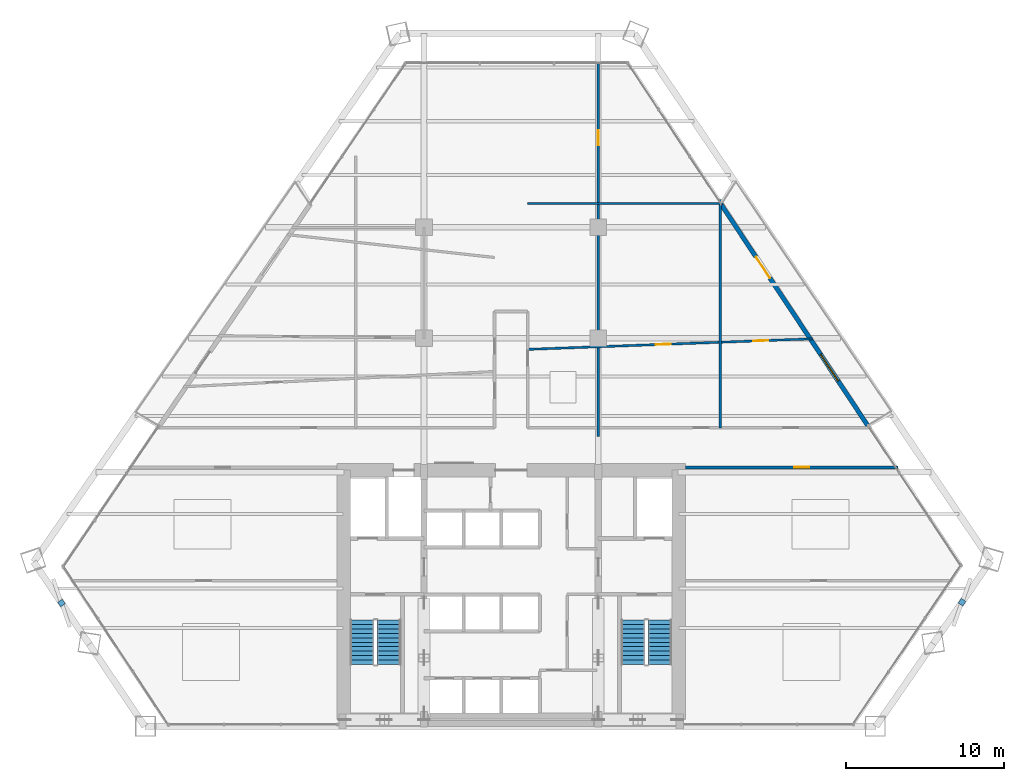
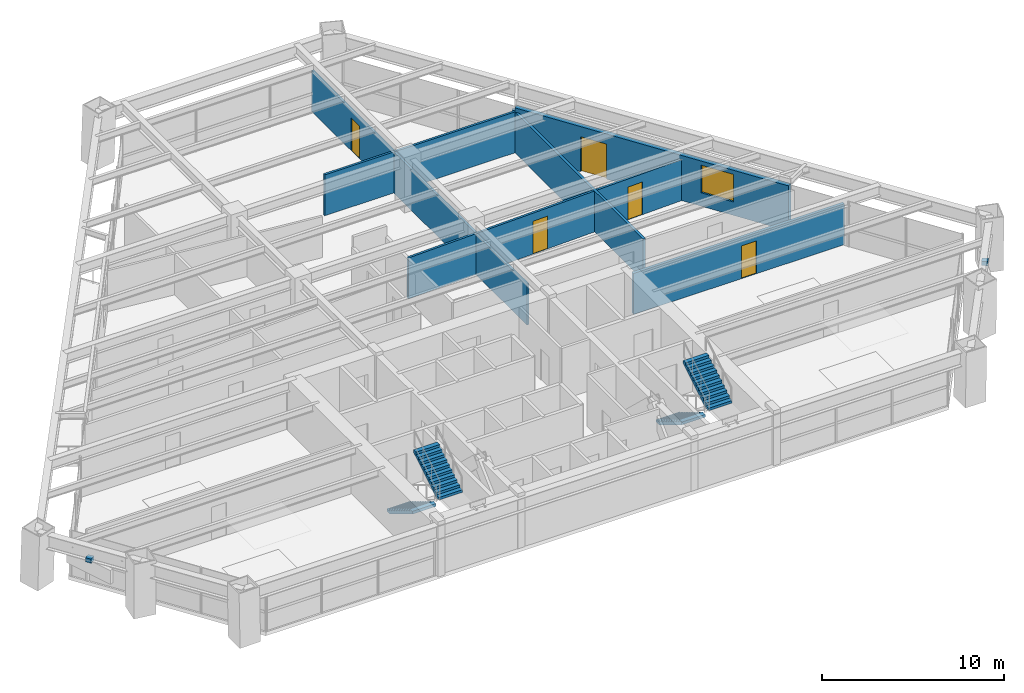
# One storey, part 12 of 14: 6 walls, 5 doors, 4 stair flights, 2 discrete accessories, 1 window, 6 openings, 2 elements without a shape of their own.
"""IFC4 building model written with IfcOpenShell, lengths in metres."""

from ifc_helpers import new_model, si_unit, direction, frame, frame_2d, origin, origin_2d, place, context, subcontext, project, spatial, polyline, rectangle, outline, extrude, source, transform, mapped, material, layer, layer_set, type_object, type_shapes, element, fill, aggregate, save


model = new_model("IFC4")

# Units and contexts
model_context = context("Model", 3, precision=1e-05, world=origin(), true_north=direction((0.0, 1.0)))
body_context = subcontext(model_context, "Body", "Model", "MODEL_VIEW")
ifc_project = project(units=[si_unit("LENGTHUNIT", "METRE"), si_unit("AREAUNIT", "SQUARE_METRE"), si_unit("VOLUMEUNIT", "CUBIC_METRE"), si_unit("PLANEANGLEUNIT", "RADIAN"), si_unit("MASSUNIT", "GRAM", prefix="KILO")], contexts=[model_context])

# Site, building, storey
site_placement = place(None, origin())
site = spatial("IfcSite", under=ifc_project, at=site_placement, CompositionType="ELEMENT")
building_placement = place(site_placement, origin())
building = spatial("IfcBuilding", under=site, at=building_placement, Name="Varnakhor Terracotta Tower", CompositionType="ELEMENT")
storey_placement = place(building_placement, frame((0.0, 0.0, 60.800048828125)))
storey = spatial("IfcBuildingStorey", under=building, at=storey_placement, Name="L14", CompositionType="ELEMENT", Elevation=60.800048828125)

# Wall, opening, door
ifc_material_1 = material(Name="Fire-Rated Gypsum Stud Partition", Category="gypsum")
ifc_layer_1 = layer(ifc_material_1, 0.18505859375, Name="Fire-Rated Gypsum Stud Partition")
ifc_layer_set_1 = layer_set([ifc_layer_1], Name="Fire-Rated Gypsum Stud Partition")
wall_type_1 = type_object("IfcWallType", Name="WAL-CORR-185", PredefinedType="PARTITIONING", material=ifc_layer_set_1)
wall_1_placement = place(storey_placement, frame((11.02001953125, 16.35009765625, 0.0), z_axis=(0.0, 0.0, 1.0), x_axis=(1.0, 0.0, 0.0)))
wall_1 = element("IfcWall", 1, at=wall_1_placement, inside=storey, type_object=wall_type_1, Name="L14 South East Corridor Wall", PredefinedType="PARTITIONING", context=body_context, shape_type="SweptSolid", body=[
    extrude(rectangle(XDim=13.398681640625, YDim=0.18505859375, at=frame_2d((6.69921875, 0.0))), origin(), (0.0, 0.0, 1.0), 2.7470703125),
])
opening_1_placement = place(wall_1_placement, frame((6.8603515625, 0.0, 0.0)))
opening_1 = element("IfcOpeningElement", 2, at=opening_1_placement, cuts=wall_1, Name="Opening DR-94", PredefinedType="OPENING", context=body_context, shape_type="SweptSolid", body=[
    extrude(rectangle(XDim=0.949951171875, YDim=2.199951171875, at=frame_2d((0.47509765625, 1.10009765625))), frame((0.0, 0.1025390625, 0.0), z_axis=(0.0, -1.0, 0.0), x_axis=(1.0, 0.0, 0.0)), (0.0, 0.0, 1.0), 0.205078125),
])
ifc_material_2 = material(Name="Acoustic Glazed-Vision Timber Office Door", Category="wood")
door_type_1 = type_object("IfcDoorType", Name="DR-OFF-950X2200", OperationType="NOTDEFINED", PredefinedType="DOOR", material=ifc_material_2)
shared_shape_1 = source(origin(), body_context, "Body", "SweptSolid", [
    extrude(rectangle(XDim=0.949951171875, YDim=2.199951171875, at=frame_2d((0.47509765625, 1.10009765625))), frame((0.0, 0.02490234375, 0.0), z_axis=(0.0, -1.0, 0.0), x_axis=(1.0, 0.0, 0.0)), (0.0, 0.0, 1.0), 0.050048828125),
])
type_shapes(door_type_1, [shared_shape_1])
door_1_placement = place(opening_1_placement, origin())
door_1 = element("IfcDoor", 3, at=door_1_placement, inside=storey, type_object=door_type_1, Name="L14 SE Suite Door", OperationType="SINGLE_SWING_RIGHT", OverallHeight=2.199951171875, OverallWidth=0.949951171875, PredefinedType="DOOR", context=body_context, shape_type="MappedRepresentation", body=[
    mapped(shared_shape_1, transform((0.0, 0.0, 0.0), scale=1.0)),
])
fill(opening_1, door_1)

# Wall, openings, door, window
ifc_material_3 = material(Name="Extruded Architectural Terracotta Assembly", Category="masonry")
ifc_layer_2 = layer(ifc_material_3, 0.280029296875, Name="Extruded Architectural Terracotta Assembly")
ifc_layer_set_2 = layer_set([ifc_layer_2], Name="Extruded Architectural Terracotta Assembly")
wall_type_2 = type_object("IfcWallType", Name="WAL-EXT-TERRACOTTA-280", PredefinedType="SOLIDWALL", material=ifc_layer_set_2)
wall_2_placement = place(storey_placement, frame((13.224609375, 33.002197265625, 0.0), z_axis=(0.0, 0.0, 1.0), x_axis=(0.552505751784, -0.833509084681, 0.0)))
wall_2 = element("IfcWall", 4, at=wall_2_placement, inside=storey, type_object=wall_type_2, Name="L14 E Loggia Insulated Terracotta Wall", PredefinedType="SOLIDWALL", context=body_context, shape_type="SweptSolid", body=[
    extrude(rectangle(XDim=16.805419921875, YDim=0.280029296875, at=frame_2d((8.40283203125, 0.0))), origin(), (0.0, 0.0, 1.0), 3.030029296875),
])
opening_2_placement = place(wall_2_placement, frame((4.033203125, 0.0, 0.0)))
opening_2 = element("IfcOpeningElement", 5, at=opening_2_placement, cuts=wall_2, Name="Opening DR-62", PredefinedType="OPENING", context=body_context, shape_type="SweptSolid", body=[
    extrude(rectangle(XDim=1.60009765625, YDim=2.35009765625, at=frame_2d((0.800048828125, 1.175048828125))), frame((0.0, 0.14990234375, 0.0), z_axis=(0.0, -1.0, 0.0), x_axis=(1.0, 0.0, 0.0)), (0.0, 0.0, 1.0), 0.300048828125),
])
opening_3_placement = place(wall_2_placement, frame((11.427734375, 0.0, 0.89990234375)))
opening_3 = element("IfcOpeningElement", 6, at=opening_3_placement, cuts=wall_2, Name="Opening WN-26", PredefinedType="OPENING", context=body_context, shape_type="SweptSolid", body=[
    extrude(rectangle(XDim=2.0, YDim=1.85009765625, at=frame_2d((1.0, 0.925048828125))), frame((0.0, 0.14990234375, 0.0), z_axis=(0.0, -1.0, 0.0), x_axis=(1.0, 0.0, 0.0)), (0.0, 0.0, 1.0), 0.300048828125),
])
ifc_material_4 = material(Name="Thermally Broken Sliding Glass Loggia Door", Category="glass")
door_type_2 = type_object("IfcDoorType", Name="DR-EXT-LOGGIA-1600X2350", OperationType="NOTDEFINED", PredefinedType="DOOR", material=ifc_material_4)
shared_shape_2 = source(origin(), body_context, "Body", "SweptSolid", [
    extrude(rectangle(XDim=1.60009765625, YDim=2.35009765625, at=frame_2d((0.800048828125, 1.175048828125))), frame((0.0, 0.02490234375, 0.0), z_axis=(0.0, -1.0, 0.0), x_axis=(1.0, 0.0, 0.0)), (0.0, 0.0, 1.0), 0.050048828125),
])
type_shapes(door_type_2, [shared_shape_2])
door_2_placement = place(opening_2_placement, origin())
door_2 = element("IfcDoor", 7, at=door_2_placement, inside=storey, type_object=door_type_2, Name="L14 E Recessed Loggia Sliding Door", OperationType="SLIDING_TO_RIGHT", OverallHeight=2.35009765625, OverallWidth=1.60009765625, PredefinedType="DOOR", context=body_context, shape_type="MappedRepresentation", body=[
    mapped(shared_shape_2, transform((0.0, 0.0, 0.0), scale=1.0)),
])
fill(opening_2, door_2)
ifc_material_5 = material(Name="Solar-Control Low-E Insulated Glass Unit", Category="glass")
window_type = type_object("IfcWindowType", Name="WIN-OFF-2200X2100", PartitioningType="SINGLE_PANEL", PredefinedType="WINDOW", material=ifc_material_5)
shared_shape_3 = source(origin(), body_context, "Body", "SweptSolid", [
    extrude(rectangle(XDim=2.0, YDim=1.85009765625, at=frame_2d((1.0, 0.925048828125))), frame((0.0, 0.030029296875, 0.0), z_axis=(0.0, -1.0, 0.0), x_axis=(1.0, 0.0, 0.0)), (0.0, 0.0, 1.0), 0.06005859375),
])
type_shapes(window_type, [shared_shape_3])
window_placement = place(opening_3_placement, origin())
window = element("IfcWindow", 8, at=window_placement, inside=storey, type_object=window_type, Name="L14 E Facet Punched Window", OverallHeight=1.85009765625, OverallWidth=2.0, PartitioningType="SINGLE_PANEL", PredefinedType="WINDOW", context=body_context, shape_type="MappedRepresentation", body=[
    mapped(shared_shape_3, transform((0.0, 0.0, 0.0), scale=1.0)),
])
fill(opening_3, window)

# Wall, opening, door
ifc_material_6 = material(Name="Acoustic Metal-Stud Partition", Category="gypsum")
ifc_layer_3 = layer(ifc_material_6, 0.139892578125, Name="Acoustic Metal-Stud Partition")
ifc_layer_set_3 = layer_set([ifc_layer_3], Name="Acoustic Metal-Stud Partition")
wall_type_3 = type_object("IfcWallType", Name="WAL-PART-140", PredefinedType="PARTITIONING", material=ifc_layer_set_3)
wall_3_placement = place(storey_placement, frame((5.5, 18.300048828125, 0.0), z_axis=(0.0, 0.0, 1.0), x_axis=(0.0, 1.0, 0.0)))
wall_3 = element("IfcWall", 9, at=wall_3_placement, inside=storey, type_object=wall_type_3, Name="L14 East Full Column Wall", PredefinedType="PARTITIONING", context=body_context, shape_type="SweptSolid", body=[
    extrude(rectangle(XDim=23.683349609375, YDim=0.139892578125, at=frame_2d((11.841796875, 0.0))), origin(), (0.0, 0.0, 1.0), 2.7470703125),
])
opening_4_placement = place(wall_3_placement, frame((18.371826171875, 0.0, 0.0)))
opening_4 = element("IfcOpeningElement", 10, at=opening_4_placement, cuts=wall_3, Name="Opening DR-94", PredefinedType="OPENING", context=body_context, shape_type="SweptSolid", body=[
    extrude(rectangle(XDim=0.949951171875, YDim=2.199951171875, at=frame_2d((0.47509765625, 1.10009765625))), frame((0.0, 0.080078125, 0.0), z_axis=(0.0, -1.0, 0.0), x_axis=(1.0, 0.0, 0.0)), (0.0, 0.0, 1.0), 0.159912109375),
])
door_3_placement = place(opening_4_placement, origin())
door_3 = element("IfcDoor", 11, at=door_3_placement, inside=storey, type_object=door_type_1, Name="L14 Tea Point Door", OperationType="SINGLE_SWING_RIGHT", OverallHeight=2.199951171875, OverallWidth=0.949951171875, PredefinedType="DOOR", context=body_context, shape_type="MappedRepresentation", body=[
    mapped(shared_shape_1, transform((0.0, 0.0, 0.0), scale=1.0)),
])
fill(opening_4, door_3)

# Wall, openings, doors
wall_4_placement = place(storey_placement, frame((1.050048828125, 23.800048828125, 0.0), z_axis=(0.0, 0.0, 1.0), x_axis=(0.999315836643, 0.036984572921, 0.0)))
wall_4 = element("IfcWall", 12, at=wall_4_placement, inside=storey, type_object=wall_type_3, Name="L14 East Wing Cut 1", PredefinedType="PARTITIONING", context=body_context, shape_type="SweptSolid", body=[
    extrude(rectangle(XDim=18.001220703125, YDim=0.139892578125, at=frame_2d((9.00048828125, 0.0))), origin(), (0.0, 0.0, 1.0), 2.7470703125),
])
opening_5_placement = place(wall_4_placement, frame((8.083984375, 0.0, 0.0)))
opening_5 = element("IfcOpeningElement", 13, at=opening_5_placement, cuts=wall_4, Name="Opening DR-94", PredefinedType="OPENING", context=body_context, shape_type="SweptSolid", body=[
    extrude(rectangle(XDim=0.949951171875, YDim=2.199951171875, at=frame_2d((0.47509765625, 1.10009765625))), frame((0.0, 0.080078125, 0.0), z_axis=(0.0, -1.0, 0.0), x_axis=(1.0, 0.0, 0.0)), (0.0, 0.0, 1.0), 0.159912109375),
])
opening_6_placement = place(wall_4_placement, frame((14.244873046875, 0.0, 0.0)))
opening_6 = element("IfcOpeningElement", 14, at=opening_6_placement, cuts=wall_4, Name="Opening DR-94", PredefinedType="OPENING", context=body_context, shape_type="SweptSolid", body=[
    extrude(rectangle(XDim=0.949951171875, YDim=2.199951171875, at=frame_2d((0.47509765625, 1.10009765625))), frame((0.0, 0.080078125, 0.0), z_axis=(0.0, -1.0, 0.0), x_axis=(1.0, 0.0, 0.0)), (0.0, 0.0, 1.0), 0.159912109375),
])
door_4_placement = place(opening_5_placement, origin())
door_4 = element("IfcDoor", 15, at=door_4_placement, inside=storey, type_object=door_type_1, Name="L14 Interview Room B15 Door", OperationType="SINGLE_SWING_LEFT", OverallHeight=2.199951171875, OverallWidth=0.949951171875, PredefinedType="DOOR", context=body_context, shape_type="MappedRepresentation", body=[
    mapped(shared_shape_1, transform((0.0, 0.0, 0.0), scale=1.0)),
])
fill(opening_5, door_4)
door_5_placement = place(opening_6_placement, origin())
door_5 = element("IfcDoor", 16, at=door_5_placement, inside=storey, type_object=door_type_1, Name="L14 Counsel Office E1 Door", OperationType="SINGLE_SWING_LEFT", OverallHeight=2.199951171875, OverallWidth=0.949951171875, PredefinedType="DOOR", context=body_context, shape_type="MappedRepresentation", body=[
    mapped(shared_shape_1, transform((0.0, 0.0, 0.0), scale=1.0)),
])
fill(opening_6, door_5)

# Walls
wall_5_placement = place(storey_placement, frame((1.050048828125, 33.0, 0.0), z_axis=(0.0, 0.0, 1.0), x_axis=(1.0, 0.0, 0.0)))
element("IfcWall", 17, at=wall_5_placement, inside=storey, type_object=wall_type_3, Name="L14 East Wing Cut 2", PredefinedType="PARTITIONING", context=body_context, shape_type="SweptSolid", body=[
    extrude(rectangle(XDim=12.33203125, YDim=0.139892578125, at=frame_2d((6.166015625, 0.0))), origin(), (0.0, 0.0, 1.0), 2.7470703125),
])
ifc_material_7 = material(Name="Acoustic Fire-Rated Partition", Category="gypsum")
ifc_layer_4 = layer(ifc_material_7, 0.1650390625, Name="Acoustic Fire-Rated Partition")
ifc_layer_set_4 = layer_set([ifc_layer_4], Name="Acoustic Fire-Rated Partition")
wall_type_4 = type_object("IfcWallType", Name="WAL-TENANCY-165", PredefinedType="PARTITIONING", material=ifc_layer_set_4)
wall_6_placement = place(storey_placement, frame((13.199951171875, 18.85009765625, 0.0), z_axis=(0.0, 0.0, 1.0), x_axis=(0.0, 1.0, 0.0)))
element("IfcWall", 18, at=wall_6_placement, inside=storey, type_object=wall_type_4, Name="L14 East Cellular Line", PredefinedType="PARTITIONING", context=body_context, shape_type="SweptSolid", body=[
    extrude(rectangle(XDim=14.424560546875, YDim=0.1650390625, at=frame_2d((7.21240234375, 0.0))), origin(), (0.0, 0.0, 1.0), 2.7470703125),
])

# Stair, stair flights
ifc_material_8 = material(Name="Concrete C40/50", Category="concrete")
stair_type = type_object("IfcStairType", Name="STR-CORE-OFFICE-1500", PredefinedType="HALF_TURN_STAIR", material=ifc_material_8)
stair_1_placement = place(storey_placement, origin())
stair_1 = element("IfcStair", 19, at=stair_1_placement, inside=storey, type_object=stair_type, Name="L14 Core Exit Stair ST-1", PredefinedType="HALF_TURN_STAIR")
stair_flight_type = type_object("IfcStairFlightType", Name="FLT-CORE-1500", PredefinedType="STRAIGHT", material=ifc_material_8)
stair_flight_1_placement = place(storey_placement, frame((-9.39990234375, 6.7099609375, 0.0), z_axis=(0.0, 0.0, 1.0), x_axis=(0.0, -1.0, 0.0)))
stair_flight_1 = element("IfcStairFlight", 20, at=stair_flight_1_placement, type_object=stair_flight_type, Name="ST-1 flight 1", NumberOfRisers=11, NumberOfTreads=10, PredefinedType="STRAIGHT", RiserHeight=0.168181818, TreadLength=0.28, context=body_context, shape_type="SweptSolid", body=[
    extrude(outline(polyline([(0.0, 0.0), (0.0, 0.168212890625), (0.280029296875, 0.168212890625), (0.280029296875, 0.33642578125), (0.56005859375, 0.33642578125), (0.56005859375, 0.504638671875), (0.840087890625, 0.504638671875), (0.840087890625, 0.672607421875), (1.1201171875, 0.672607421875), (1.1201171875, 0.8408203125), (1.39990234375, 0.8408203125), (1.39990234375, 1.009033203125), (1.679931640625, 1.009033203125), (1.679931640625, 1.17724609375), (1.9599609375, 1.17724609375), (1.9599609375, 1.345458984375), (2.239990234375, 1.345458984375), (2.239990234375, 1.513671875), (2.52001953125, 1.513671875), (2.52001953125, 1.681884765625), (2.800048828125, 1.681884765625), (2.800048828125, 1.85009765625), (2.800048828125, 1.495361328125), (0.310546875, 0.0), (0.0, 0.0)])), frame((0.0, 0.75, 0.0), z_axis=(0.0, -1.0, 0.0), x_axis=(1.0, 0.0, 0.0)), (0.0, 0.0, 1.0), 1.5),
])
stair_flight_2_placement = place(storey_placement, frame((-7.699951171875, 3.909912109375, 1.849853515625), z_axis=(0.0, 0.0, 1.0), x_axis=(0.0, 1.0, 0.0)))
stair_flight_2 = element("IfcStairFlight", 21, at=stair_flight_2_placement, type_object=stair_flight_type, Name="ST-1 flight 2", NumberOfRisers=11, NumberOfTreads=10, PredefinedType="STRAIGHT", RiserHeight=0.168181818, TreadLength=0.28, context=body_context, shape_type="SweptSolid", body=[
    extrude(outline(polyline([(0.0, 0.0), (0.0, 0.168212890625), (0.280029296875, 0.168212890625), (0.280029296875, 0.33642578125), (0.56005859375, 0.33642578125), (0.56005859375, 0.504638671875), (0.840087890625, 0.504638671875), (0.840087890625, 0.672607421875), (1.1201171875, 0.672607421875), (1.1201171875, 0.8408203125), (1.39990234375, 0.8408203125), (1.39990234375, 1.009033203125), (1.679931640625, 1.009033203125), (1.679931640625, 1.17724609375), (1.9599609375, 1.17724609375), (1.9599609375, 1.345458984375), (2.239990234375, 1.345458984375), (2.239990234375, 1.513671875), (2.52001953125, 1.513671875), (2.52001953125, 1.681884765625), (2.800048828125, 1.681884765625), (2.800048828125, 1.85009765625), (2.800048828125, 1.495361328125), (0.310546875, 0.0), (0.0, 0.0)])), frame((0.0, 0.75, 0.0), z_axis=(0.0, -1.0, 0.0), x_axis=(1.0, 0.0, 0.0)), (0.0, 0.0, 1.0), 1.5),
])
aggregate(stair_1, [stair_flight_1, stair_flight_2])

stair_2_placement = place(storey_placement, origin())
stair_2 = element("IfcStair", 22, at=stair_2_placement, inside=storey, type_object=stair_type, Name="L14 Core Exit Stair ST-2", PredefinedType="HALF_TURN_STAIR")
stair_flight_3_placement = place(storey_placement, frame((7.699951171875, 6.7099609375, 0.0), z_axis=(0.0, 0.0, 1.0), x_axis=(0.0, -1.0, 0.0)))
stair_flight_3 = element("IfcStairFlight", 23, at=stair_flight_3_placement, type_object=stair_flight_type, Name="ST-2 flight 1", NumberOfRisers=11, NumberOfTreads=10, PredefinedType="STRAIGHT", RiserHeight=0.168181818, TreadLength=0.28, context=body_context, shape_type="SweptSolid", body=[
    extrude(outline(polyline([(0.0, 0.0), (0.0, 0.168212890625), (0.280029296875, 0.168212890625), (0.280029296875, 0.33642578125), (0.56005859375, 0.33642578125), (0.56005859375, 0.504638671875), (0.840087890625, 0.504638671875), (0.840087890625, 0.672607421875), (1.1201171875, 0.672607421875), (1.1201171875, 0.8408203125), (1.39990234375, 0.8408203125), (1.39990234375, 1.009033203125), (1.679931640625, 1.009033203125), (1.679931640625, 1.17724609375), (1.9599609375, 1.17724609375), (1.9599609375, 1.345458984375), (2.239990234375, 1.345458984375), (2.239990234375, 1.513671875), (2.52001953125, 1.513671875), (2.52001953125, 1.681884765625), (2.800048828125, 1.681884765625), (2.800048828125, 1.85009765625), (2.800048828125, 1.495361328125), (0.310546875, 0.0), (0.0, 0.0)])), frame((0.0, 0.75, 0.0), z_axis=(0.0, -1.0, 0.0), x_axis=(1.0, 0.0, 0.0)), (0.0, 0.0, 1.0), 1.5),
])
stair_flight_4_placement = place(storey_placement, frame((9.39990234375, 3.909912109375, 1.849853515625), z_axis=(0.0, 0.0, 1.0), x_axis=(0.0, 1.0, 0.0)))
stair_flight_4 = element("IfcStairFlight", 24, at=stair_flight_4_placement, type_object=stair_flight_type, Name="ST-2 flight 2", NumberOfRisers=11, NumberOfTreads=10, PredefinedType="STRAIGHT", RiserHeight=0.168181818, TreadLength=0.28, context=body_context, shape_type="SweptSolid", body=[
    extrude(outline(polyline([(0.0, 0.0), (0.0, 0.168212890625), (0.280029296875, 0.168212890625), (0.280029296875, 0.33642578125), (0.56005859375, 0.33642578125), (0.56005859375, 0.504638671875), (0.840087890625, 0.504638671875), (0.840087890625, 0.672607421875), (1.1201171875, 0.672607421875), (1.1201171875, 0.8408203125), (1.39990234375, 0.8408203125), (1.39990234375, 1.009033203125), (1.679931640625, 1.009033203125), (1.679931640625, 1.17724609375), (1.9599609375, 1.17724609375), (1.9599609375, 1.345458984375), (2.239990234375, 1.345458984375), (2.239990234375, 1.513671875), (2.52001953125, 1.513671875), (2.52001953125, 1.681884765625), (2.800048828125, 1.681884765625), (2.800048828125, 1.85009765625), (2.800048828125, 1.495361328125), (0.310546875, 0.0), (0.0, 0.0)])), frame((0.0, 0.75, 0.0), z_axis=(0.0, -1.0, 0.0), x_axis=(1.0, 0.0, 0.0)), (0.0, 0.0, 1.0), 1.5),
])
aggregate(stair_2, [stair_flight_3, stair_flight_4])

# Discrete accessories
ifc_material_9 = material(Name="Stainless Steel Fixing Bracket", Category="steel")
discrete_accessory_type = type_object("IfcDiscreteAccessoryType", Name="BRACKET-TERRACOTTA-SCREEN", PredefinedType="BRACKET", material=ifc_material_9)
shared_shape_4 = source(origin(), body_context, "Body", "SweptSolid", [
    extrude(rectangle(XDim=0.35009765625, YDim=0.35009765625, at=origin_2d()), origin(), (0.0, 0.0, 1.0), 0.280029296875),
])
type_shapes(discrete_accessory_type, [shared_shape_4])
for number, where, z_axis, x_axis, name in (
    (25, (28.463623046875, 7.839111328125, 2.39306640625), (0.0, 0.0, 1.0), (0.569638197239, 0.821895567725, 0.0), "L14 E Screen Fixing Bracket"),
    (26, (-28.383056640625, 7.787109375, 2.39306640625), (0.0, 0.0, 1.0), (0.5595690512, -0.828783733515, 0.0), "L14 W Screen Fixing Bracket"),
):
    element("IfcDiscreteAccessory", number, at=place(storey_placement, frame(where, z_axis=z_axis, x_axis=x_axis)), inside=storey, type_object=discrete_accessory_type, Name=name, PredefinedType="BRACKET", context=body_context, shape_type="MappedRepresentation", body=[
        mapped(shared_shape_4, transform((0.0, 0.0, 0.0), scale=1.0)),
    ])

save(model, "model.ifc")
